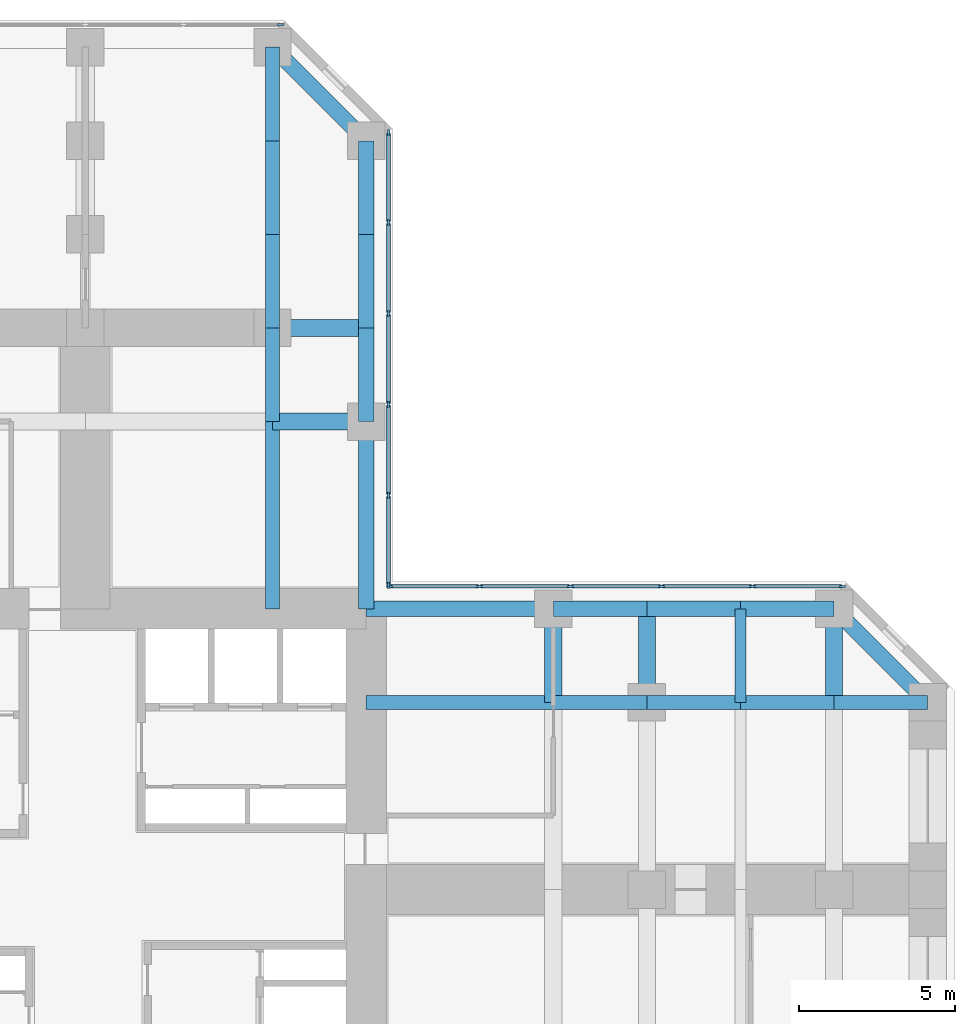
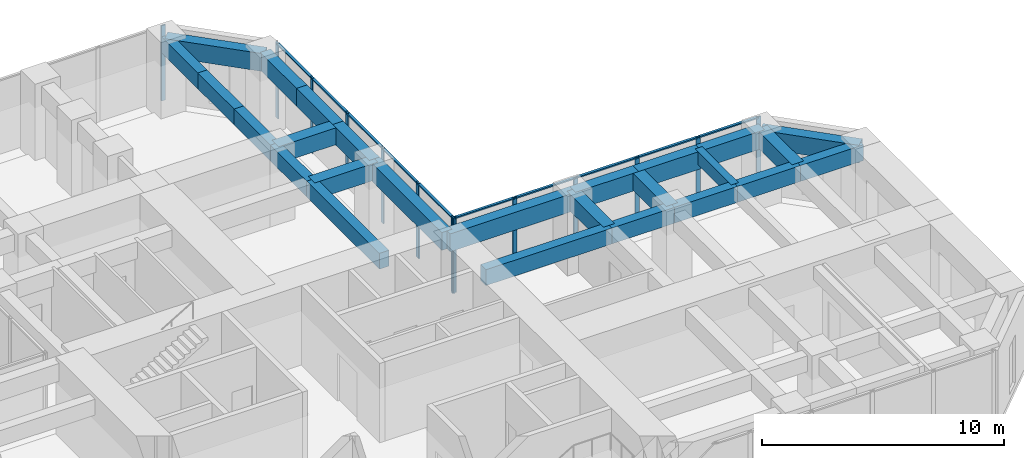
# One storey, part 6 of 12: 26 beams, 23 members, 3 elements without a shape of their own.
"""IFC4 building model written with IfcOpenShell, lengths in metres."""

from ifc_helpers import new_model, si_unit, direction, frame, origin, origin_2d, place, context, subcontext, project, spatial, rectangle, extrude, material, material_profile, profile_set, type_object, element, aggregate, save


model = new_model("IFC4")

# Units and contexts
model_context = context("Model", 3, precision=1e-05, world=origin(), true_north=direction((0.0, 1.0)))
body_context = subcontext(model_context, "Body", "Model", "MODEL_VIEW")
ifc_project = project(units=[si_unit("LENGTHUNIT", "METRE"), si_unit("AREAUNIT", "SQUARE_METRE"), si_unit("VOLUMEUNIT", "CUBIC_METRE"), si_unit("PLANEANGLEUNIT", "RADIAN"), si_unit("MASSUNIT", "GRAM", prefix="KILO")], contexts=[model_context])

# Site, building, storey
site_placement = place(None, origin())
site = spatial("IfcSite", under=ifc_project, at=site_placement, CompositionType="ELEMENT")
building_placement = place(site_placement, origin())
building = spatial("IfcBuilding", under=site, at=building_placement, Name="Torre Cruceta", CompositionType="ELEMENT")
storey_placement = place(building_placement, frame((0.0, 0.0, 35.5)))
storey = spatial("IfcBuildingStorey", under=building, at=storey_placement, Name="L08", CompositionType="ELEMENT", Elevation=35.5)

# Beams
ifc_material_1 = material(Name="Concrete G60 (fck 60 MPa)", Category="concrete")
ifc_material_profile_1 = material_profile(ifc_material_1, rectangle(XDim=0.449951171875, YDim=0.800048828125, at=origin_2d()), Name="RC 450X800")
ifc_profile_set_1 = profile_set([ifc_material_profile_1], Name="Concrete G60 (fck 60 MPa)")
beam_type_1 = type_object("IfcBeamType", Name="COLUMN LINE BEAM RC 450X800", PredefinedType="BEAM", material=ifc_profile_set_1)
beam_1_placement = place(storey_placement, frame((6.0, 9.0, 3.39990234375), z_axis=(0.0, 1.0, 0.0), x_axis=(-1.0, 0.0, 0.0)))
element("IfcBeam", 1, at=beam_1_placement, inside=storey, type_object=beam_type_1, Name="LB1 L08 N col- 1", PredefinedType="BEAM", context=body_context, shape_type="SweptSolid", body=[
    extrude(rectangle(XDim=0.449951171875, YDim=0.800048828125, at=origin_2d()), origin(), (0.0, 0.0, 1.0), 6.0),
])
for number, where, z_axis, x_axis, name in (
    (2, (6.0, 15.0, 3.39990234375), (0.0, 1.0, 0.0), (-1.0, 0.0, 0.0), "LB1 L08 N col- 2"),
    (3, (6.0, 18.0, 3.39990234375), (0.0, 1.0, 0.0), (-1.0, 0.0, 0.0), "LB1 L08 N col- 3"),
    (4, (6.0, 21.0, 3.39990234375), (0.0, 1.0, 0.0), (-1.0, 0.0, 0.0), "LB1 L08 N col- 4"),
    (5, (6.0, 24.0, 3.39990234375), (0.0, 1.0, 0.0), (-1.0, 0.0, 0.0), "LB1 L08 N col- 5"),
):
    element("IfcBeam", number, at=place(storey_placement, frame(where, z_axis=z_axis, x_axis=x_axis)), inside=storey, type_object=beam_type_1, Name=name, PredefinedType="BEAM", context=body_context, shape_type="SweptSolid", body=[
        extrude(rectangle(XDim=0.449951171875, YDim=0.800048828125, at=origin_2d()), origin(), (0.0, 0.0, 1.0), 3.0),
    ])
beam_2_placement = place(storey_placement, frame((9.0, 6.0, 3.39990234375), z_axis=(1.0, 0.0, 0.0), x_axis=(0.0, 1.0, 0.0)))
element("IfcBeam", 6, at=beam_2_placement, inside=storey, type_object=beam_type_1, Name="LB1 L08 E col+ 1", PredefinedType="BEAM", context=body_context, shape_type="SweptSolid", body=[
    extrude(rectangle(XDim=0.449951171875, YDim=0.800048828125, at=origin_2d()), origin(), (0.0, 0.0, 1.0), 6.0),
])
for number, where, z_axis, x_axis, name in (
    (7, (15.0, 6.0, 3.39990234375), (1.0, 0.0, 0.0), (0.0, 1.0, 0.0), "LB1 L08 E col+ 2"),
    (8, (18.0, 6.0, 3.39990234375), (1.0, 0.0, 0.0), (0.0, 1.0, 0.0), "LB1 L08 E col+ 3"),
    (9, (21.0, 6.0, 3.39990234375), (1.0, 0.0, 0.0), (0.0, 1.0, 0.0), "LB1 L08 E col+ 4"),
    (10, (24.0, 6.0, 3.39990234375), (1.0, 0.0, 0.0), (0.0, 1.0, 0.0), "LB1 L08 E col+ 5"),
):
    element("IfcBeam", number, at=place(storey_placement, frame(where, z_axis=z_axis, x_axis=x_axis)), inside=storey, type_object=beam_type_1, Name=name, PredefinedType="BEAM", context=body_context, shape_type="SweptSolid", body=[
        extrude(rectangle(XDim=0.449951171875, YDim=0.800048828125, at=origin_2d()), origin(), (0.0, 0.0, 1.0), 3.0),
    ])
ifc_material_2 = material(Name="Concrete G60 (fck 60 MPa)", Category="concrete")
ifc_material_profile_2 = material_profile(ifc_material_2, rectangle(XDim=0.550048828125, YDim=0.85009765625, at=origin_2d()), Name="RC 550X850")
ifc_profile_set_2 = profile_set([ifc_material_profile_2], Name="Concrete G60 (fck 60 MPa)")
beam_type_2 = type_object("IfcBeamType", Name="CROSS BEAM RC 550X850", PredefinedType="BEAM", material=ifc_profile_set_2)
for number, where, z_axis, x_axis, name in (
    (11, (9.0, 15.0, 3.375), (-1.0, 0.0, 0.0), (0.0, -1.0, 0.0), "GB4 L08 N cross15 1"),
    (12, (9.0, 18.0, 3.375), (-1.0, 0.0, 0.0), (0.0, -1.0, 0.0), "GB4 L08 N cross18 1"),
    (13, (15.0, 6.0, 3.375), (0.0, 1.0, 0.0), (-1.0, 0.0, 0.0), "GB4 L08 E cross15 4"),
    (14, (18.0, 6.0, 3.375), (0.0, 1.0, 0.0), (-1.0, 0.0, 0.0), "GB4 L08 E cross18 4"),
    (15, (24.0, 6.0, 3.375), (0.0, 1.0, 0.0), (-1.0, 0.0, 0.0), "GB4 L08 E cross24 4"),
):
    element("IfcBeam", number, at=place(storey_placement, frame(where, z_axis=z_axis, x_axis=x_axis)), inside=storey, type_object=beam_type_2, Name=name, PredefinedType="BEAM", context=body_context, shape_type="SweptSolid", body=[
        extrude(rectangle(XDim=0.550048828125, YDim=0.85009765625, at=origin_2d()), origin(), (0.0, 0.0, 1.0), 3.0),
    ])

# Curtain wall, members
ifc_material_3 = material(Name="Aluminium unitised curtain wall", Category="aluminium")
curtain_wall_type = type_object("IfcCurtainWallType", Name="CURTAIN WALL CW-A OFFICE LOW RISE", PredefinedType="USERDEFINED", material=ifc_material_3)
curtain_wall_1_placement = place(storey_placement, origin())
curtain_wall_1 = element("IfcCurtainWall", 16, at=curtain_wall_1_placement, inside=storey, type_object=curtain_wall_type, Name="CW-A L08 E side 04", ObjectType="UNITISED", PredefinedType="USERDEFINED")
ifc_material_4 = material(Name="Aluminium mullion", Category="aluminium")
ifc_material_profile_3 = material_profile(ifc_material_4, rectangle(XDim=0.06494140625, YDim=0.199951171875, at=origin_2d()), Name="AL 65X200")
ifc_profile_set_3 = profile_set([ifc_material_profile_3], Name="Aluminium mullion")
member_type_1 = type_object("IfcMemberType", Name="CW-A MULLION 65X200", PredefinedType="MULLION", material=ifc_profile_set_3)
member_1_placement = place(storey_placement, frame((24.265625, 9.719970703125, 0.0), z_axis=(0.0, 0.0, 1.0), x_axis=(0.0, -1.0, 0.0)))
member_1 = element("IfcMember", 17, at=member_1_placement, type_object=member_type_1, Name="CW-A mullion 1", PredefinedType="MULLION", context=body_context, shape_type="SweptSolid", body=[
    extrude(rectangle(XDim=0.06494140625, YDim=0.199951171875, at=origin_2d()), origin(), (0.0, 0.0, 1.0), 3.800048828125),
])
member_2_placement = place(storey_placement, frame((21.382568359375, 9.719970703125, 0.0), z_axis=(0.0, 0.0, 1.0), x_axis=(0.0, -1.0, 0.0)))
member_2 = element("IfcMember", 18, at=member_2_placement, type_object=member_type_1, Name="CW-A mullion 2", PredefinedType="MULLION", context=body_context, shape_type="SweptSolid", body=[
    extrude(rectangle(XDim=0.06494140625, YDim=0.199951171875, at=origin_2d()), origin(), (0.0, 0.0, 1.0), 3.800048828125),
])
member_3_placement = place(storey_placement, frame((18.467041015625, 9.719970703125, 0.0), z_axis=(0.0, 0.0, 1.0), x_axis=(0.0, -1.0, 0.0)))
member_3 = element("IfcMember", 19, at=member_3_placement, type_object=member_type_1, Name="CW-A mullion 3", PredefinedType="MULLION", context=body_context, shape_type="SweptSolid", body=[
    extrude(rectangle(XDim=0.06494140625, YDim=0.199951171875, at=origin_2d()), origin(), (0.0, 0.0, 1.0), 3.800048828125),
])
member_4_placement = place(storey_placement, frame((15.55126953125, 9.719970703125, 0.0), z_axis=(0.0, 0.0, 1.0), x_axis=(0.0, -1.0, 0.0)))
member_4 = element("IfcMember", 20, at=member_4_placement, type_object=member_type_1, Name="CW-A mullion 4", PredefinedType="MULLION", context=body_context, shape_type="SweptSolid", body=[
    extrude(rectangle(XDim=0.06494140625, YDim=0.199951171875, at=origin_2d()), origin(), (0.0, 0.0, 1.0), 3.800048828125),
])
member_5_placement = place(storey_placement, frame((12.6357421875, 9.719970703125, 0.0), z_axis=(0.0, 0.0, 1.0), x_axis=(0.0, -1.0, 0.0)))
member_5 = element("IfcMember", 21, at=member_5_placement, type_object=member_type_1, Name="CW-A mullion 5", PredefinedType="MULLION", context=body_context, shape_type="SweptSolid", body=[
    extrude(rectangle(XDim=0.06494140625, YDim=0.199951171875, at=origin_2d()), origin(), (0.0, 0.0, 1.0), 3.800048828125),
])
member_6_placement = place(storey_placement, frame((9.75244140625, 9.719970703125, 0.0), z_axis=(0.0, 0.0, 1.0), x_axis=(0.0, -1.0, 0.0)))
member_6 = element("IfcMember", 22, at=member_6_placement, type_object=member_type_1, Name="CW-A mullion 6", PredefinedType="MULLION", context=body_context, shape_type="SweptSolid", body=[
    extrude(rectangle(XDim=0.06494140625, YDim=0.199951171875, at=origin_2d()), origin(), (0.0, 0.0, 1.0), 3.800048828125),
])

curtain_wall_2_placement = place(storey_placement, origin())
curtain_wall_2 = element("IfcCurtainWall", 23, at=curtain_wall_2_placement, inside=storey, type_object=curtain_wall_type, Name="CW-A L08 N side 05", ObjectType="UNITISED", PredefinedType="USERDEFINED")
member_7_placement = place(storey_placement, frame((9.719970703125, 9.75244140625, 0.0), z_axis=(0.0, 0.0, 1.0), x_axis=(-1.0, 0.0, 0.0)))
member_7 = element("IfcMember", 24, at=member_7_placement, type_object=member_type_1, Name="CW-A mullion 1", PredefinedType="MULLION", context=body_context, shape_type="SweptSolid", body=[
    extrude(rectangle(XDim=0.06494140625, YDim=0.199951171875, at=origin_2d()), origin(), (0.0, 0.0, 1.0), 3.800048828125),
])
member_8_placement = place(storey_placement, frame((9.719970703125, 12.6357421875, 0.0), z_axis=(0.0, 0.0, 1.0), x_axis=(-1.0, 0.0, 0.0)))
member_8 = element("IfcMember", 25, at=member_8_placement, type_object=member_type_1, Name="CW-A mullion 2", PredefinedType="MULLION", context=body_context, shape_type="SweptSolid", body=[
    extrude(rectangle(XDim=0.06494140625, YDim=0.199951171875, at=origin_2d()), origin(), (0.0, 0.0, 1.0), 3.800048828125),
])
member_9_placement = place(storey_placement, frame((9.719970703125, 15.55126953125, 0.0), z_axis=(0.0, 0.0, 1.0), x_axis=(-1.0, 0.0, 0.0)))
member_9 = element("IfcMember", 26, at=member_9_placement, type_object=member_type_1, Name="CW-A mullion 3", PredefinedType="MULLION", context=body_context, shape_type="SweptSolid", body=[
    extrude(rectangle(XDim=0.06494140625, YDim=0.199951171875, at=origin_2d()), origin(), (0.0, 0.0, 1.0), 3.800048828125),
])
member_10_placement = place(storey_placement, frame((9.719970703125, 18.467041015625, 0.0), z_axis=(0.0, 0.0, 1.0), x_axis=(-1.0, 0.0, 0.0)))
member_10 = element("IfcMember", 27, at=member_10_placement, type_object=member_type_1, Name="CW-A mullion 4", PredefinedType="MULLION", context=body_context, shape_type="SweptSolid", body=[
    extrude(rectangle(XDim=0.06494140625, YDim=0.199951171875, at=origin_2d()), origin(), (0.0, 0.0, 1.0), 3.800048828125),
])
member_11_placement = place(storey_placement, frame((9.719970703125, 21.382568359375, 0.0), z_axis=(0.0, 0.0, 1.0), x_axis=(-1.0, 0.0, 0.0)))
member_11 = element("IfcMember", 28, at=member_11_placement, type_object=member_type_1, Name="CW-A mullion 5", PredefinedType="MULLION", context=body_context, shape_type="SweptSolid", body=[
    extrude(rectangle(XDim=0.06494140625, YDim=0.199951171875, at=origin_2d()), origin(), (0.0, 0.0, 1.0), 3.800048828125),
])
member_12_placement = place(storey_placement, frame((9.719970703125, 24.265625, 0.0), z_axis=(0.0, 0.0, 1.0), x_axis=(-1.0, 0.0, 0.0)))
member_12 = element("IfcMember", 29, at=member_12_placement, type_object=member_type_1, Name="CW-A mullion 6", PredefinedType="MULLION", context=body_context, shape_type="SweptSolid", body=[
    extrude(rectangle(XDim=0.06494140625, YDim=0.199951171875, at=origin_2d()), origin(), (0.0, 0.0, 1.0), 3.800048828125),
])

# Curtain wall, member
curtain_wall_3_placement = place(storey_placement, origin())
curtain_wall_3 = element("IfcCurtainWall", 30, at=curtain_wall_3_placement, inside=storey, type_object=curtain_wall_type, Name="CW-A L08 N tip 07", ObjectType="UNITISED", PredefinedType="USERDEFINED")
member_13_placement = place(storey_placement, frame((6.265625, 27.719970703125, 0.0), z_axis=(0.0, 0.0, 1.0), x_axis=(0.0, -1.0, 0.0)))
member_13 = element("IfcMember", 31, at=member_13_placement, type_object=member_type_1, Name="CW-A mullion 1", PredefinedType="MULLION", context=body_context, shape_type="SweptSolid", body=[
    extrude(rectangle(XDim=0.06494140625, YDim=0.199951171875, at=origin_2d()), origin(), (0.0, 0.0, 1.0), 3.800048828125),
])
aggregate(curtain_wall_3, [member_13])

# Member
ifc_material_5 = material(Name="Aluminium transom", Category="aluminium")
ifc_material_profile_4 = material_profile(ifc_material_5, rectangle(XDim=0.1201171875, YDim=0.06494140625, at=origin_2d()), Name="AL 120X65")
ifc_profile_set_4 = profile_set([ifc_material_profile_4], Name="Aluminium transom")
member_type_2 = type_object("IfcMemberType", Name="CW-A TRANSOM 65X120", PredefinedType="USERDEFINED", material=ifc_profile_set_4)
member_14_placement = place(storey_placement, frame((24.233154296875, 9.719970703125, 3.767578125), z_axis=(-1.0, 0.0, 0.0), x_axis=(0.0, -1.0, 0.0)))
member_14 = element("IfcMember", 32, at=member_14_placement, type_object=member_type_2, Name="CW-A transom 1", ObjectType="TRANSOM", PredefinedType="USERDEFINED", context=body_context, shape_type="SweptSolid", body=[
    extrude(rectangle(XDim=0.1201171875, YDim=0.06494140625, at=origin_2d()), origin(), (0.0, 0.0, 1.0), 2.818115234375),
])

member_15_placement = place(storey_placement, frame((21.35009765625, 9.719970703125, 3.767578125), z_axis=(-1.0, 0.0, 0.0), x_axis=(0.0, -1.0, 0.0)))
member_15 = element("IfcMember", 33, at=member_15_placement, type_object=member_type_2, Name="CW-A transom 2", ObjectType="TRANSOM", PredefinedType="USERDEFINED", context=body_context, shape_type="SweptSolid", body=[
    extrude(rectangle(XDim=0.1201171875, YDim=0.06494140625, at=origin_2d()), origin(), (0.0, 0.0, 1.0), 2.8505859375),
])

member_16_placement = place(storey_placement, frame((18.434326171875, 9.719970703125, 3.767578125), z_axis=(-1.0, 0.0, 0.0), x_axis=(0.0, -1.0, 0.0)))
member_16 = element("IfcMember", 34, at=member_16_placement, type_object=member_type_2, Name="CW-A transom 3", ObjectType="TRANSOM", PredefinedType="USERDEFINED", context=body_context, shape_type="SweptSolid", body=[
    extrude(rectangle(XDim=0.1201171875, YDim=0.06494140625, at=origin_2d()), origin(), (0.0, 0.0, 1.0), 2.8505859375),
])

member_17_placement = place(storey_placement, frame((15.518798828125, 9.719970703125, 3.767578125), z_axis=(-1.0, 0.0, 0.0), x_axis=(0.0, -1.0, 0.0)))
member_17 = element("IfcMember", 35, at=member_17_placement, type_object=member_type_2, Name="CW-A transom 4", ObjectType="TRANSOM", PredefinedType="USERDEFINED", context=body_context, shape_type="SweptSolid", body=[
    extrude(rectangle(XDim=0.1201171875, YDim=0.06494140625, at=origin_2d()), origin(), (0.0, 0.0, 1.0), 2.8505859375),
])

member_18_placement = place(storey_placement, frame((12.60302734375, 9.719970703125, 3.767578125), z_axis=(-1.0, 0.0, 0.0), x_axis=(0.0, -1.0, 0.0)))
member_18 = element("IfcMember", 36, at=member_18_placement, type_object=member_type_2, Name="CW-A transom 5", ObjectType="TRANSOM", PredefinedType="USERDEFINED", context=body_context, shape_type="SweptSolid", body=[
    extrude(rectangle(XDim=0.1201171875, YDim=0.06494140625, at=origin_2d()), origin(), (0.0, 0.0, 1.0), 2.818115234375),
])

aggregate(curtain_wall_1, [member_1, member_2, member_3, member_4, member_5, member_6, member_14, member_15, member_16, member_17, member_18])

member_19_placement = place(storey_placement, frame((9.719970703125, 9.784912109375, 3.767578125), z_axis=(0.0, 1.0, 0.0), x_axis=(-1.0, 0.0, 0.0)))
member_19 = element("IfcMember", 37, at=member_19_placement, type_object=member_type_2, Name="CW-A transom 1", ObjectType="TRANSOM", PredefinedType="USERDEFINED", context=body_context, shape_type="SweptSolid", body=[
    extrude(rectangle(XDim=0.1201171875, YDim=0.06494140625, at=origin_2d()), origin(), (0.0, 0.0, 1.0), 2.818115234375),
])

member_20_placement = place(storey_placement, frame((9.719970703125, 12.668212890625, 3.767578125), z_axis=(0.0, 1.0, 0.0), x_axis=(-1.0, 0.0, 0.0)))
member_20 = element("IfcMember", 38, at=member_20_placement, type_object=member_type_2, Name="CW-A transom 2", ObjectType="TRANSOM", PredefinedType="USERDEFINED", context=body_context, shape_type="SweptSolid", body=[
    extrude(rectangle(XDim=0.1201171875, YDim=0.06494140625, at=origin_2d()), origin(), (0.0, 0.0, 1.0), 2.8505859375),
])

member_21_placement = place(storey_placement, frame((9.719970703125, 15.583740234375, 3.767578125), z_axis=(0.0, 1.0, 0.0), x_axis=(-1.0, 0.0, 0.0)))
member_21 = element("IfcMember", 39, at=member_21_placement, type_object=member_type_2, Name="CW-A transom 3", ObjectType="TRANSOM", PredefinedType="USERDEFINED", context=body_context, shape_type="SweptSolid", body=[
    extrude(rectangle(XDim=0.1201171875, YDim=0.06494140625, at=origin_2d()), origin(), (0.0, 0.0, 1.0), 2.8505859375),
])

member_22_placement = place(storey_placement, frame((9.719970703125, 18.49951171875, 3.767578125), z_axis=(0.0, 1.0, 0.0), x_axis=(-1.0, 0.0, 0.0)))
member_22 = element("IfcMember", 40, at=member_22_placement, type_object=member_type_2, Name="CW-A transom 4", ObjectType="TRANSOM", PredefinedType="USERDEFINED", context=body_context, shape_type="SweptSolid", body=[
    extrude(rectangle(XDim=0.1201171875, YDim=0.06494140625, at=origin_2d()), origin(), (0.0, 0.0, 1.0), 2.8505859375),
])

member_23_placement = place(storey_placement, frame((9.719970703125, 21.4150390625, 3.767578125), z_axis=(0.0, 1.0, 0.0), x_axis=(-1.0, 0.0, 0.0)))
member_23 = element("IfcMember", 41, at=member_23_placement, type_object=member_type_2, Name="CW-A transom 5", ObjectType="TRANSOM", PredefinedType="USERDEFINED", context=body_context, shape_type="SweptSolid", body=[
    extrude(rectangle(XDim=0.1201171875, YDim=0.06494140625, at=origin_2d()), origin(), (0.0, 0.0, 1.0), 2.818115234375),
])

aggregate(curtain_wall_2, [member_7, member_8, member_9, member_10, member_11, member_12, member_19, member_20, member_21, member_22, member_23])

# Beams
ifc_material_6 = material(Name="Concrete G60 (fck 60 MPa)", Category="concrete")
ifc_material_profile_5 = material_profile(ifc_material_6, rectangle(XDim=0.35009765625, YDim=0.64990234375, at=origin_2d()), Name="RC 350X650")
ifc_profile_set_5 = profile_set([ifc_material_profile_5], Name="Concrete G60 (fck 60 MPa)")
beam_type_3 = type_object("IfcBeamType", Name="SECONDARY BEAM RC 350X650", PredefinedType="JOIST", material=ifc_profile_set_5)
beam_3_placement = place(storey_placement, frame((21.0, 6.0, 3.47509765625), z_axis=(0.0, 1.0, 0.0), x_axis=(-1.0, 0.0, 0.0)))
element("IfcBeam", 42, at=beam_3_placement, inside=storey, type_object=beam_type_3, Name="JB3 L08 E sec21 4", PredefinedType="JOIST", context=body_context, shape_type="SweptSolid", body=[
    extrude(rectangle(XDim=0.35009765625, YDim=0.64990234375, at=origin_2d()), origin(), (0.0, 0.0, 1.0), 3.0),
])
ifc_material_7 = material(Name="Concrete G60 (fck 60 MPa)", Category="concrete")
ifc_material_profile_6 = material_profile(ifc_material_7, rectangle(XDim=0.5, YDim=0.89990234375, at=origin_2d()), Name="RC 500X900")
ifc_profile_set_6 = profile_set([ifc_material_profile_6], Name="Concrete G60 (fck 60 MPa)")
beam_type_4 = type_object("IfcBeamType", Name="SPANDREL BEAM RC 500X900", PredefinedType="SPANDREL", material=ifc_profile_set_6)
beam_4_placement = place(storey_placement, frame((9.0, 9.0, 3.35009765625), z_axis=(0.0, 1.0, 0.0), x_axis=(-1.0, 0.0, 0.0)))
element("IfcBeam", 43, at=beam_4_placement, inside=storey, type_object=beam_type_4, Name="SB4 L08 N side- 1", PredefinedType="SPANDREL", context=body_context, shape_type="SweptSolid", body=[
    extrude(rectangle(XDim=0.5, YDim=0.89990234375, at=origin_2d()), origin(), (0.0, 0.0, 1.0), 6.0),
])
for number, where, z_axis, x_axis, name in (
    (44, (9.0, 15.0, 3.35009765625), (0.0, 1.0, 0.0), (-1.0, 0.0, 0.0), "SB4 L08 N side- 2"),
    (45, (9.0, 18.0, 3.35009765625), (0.0, 1.0, 0.0), (-1.0, 0.0, 0.0), "SB4 L08 N side- 3"),
    (46, (9.0, 21.0, 3.35009765625), (0.0, 1.0, 0.0), (-1.0, 0.0, 0.0), "SB4 L08 N side- 4"),
):
    element("IfcBeam", number, at=place(storey_placement, frame(where, z_axis=z_axis, x_axis=x_axis)), inside=storey, type_object=beam_type_4, Name=name, PredefinedType="SPANDREL", context=body_context, shape_type="SweptSolid", body=[
        extrude(rectangle(XDim=0.5, YDim=0.89990234375, at=origin_2d()), origin(), (0.0, 0.0, 1.0), 3.0),
    ])
beam_5_placement = place(storey_placement, frame((9.0, 24.0, 3.35009765625), z_axis=(-0.707106781187, 0.707106781187, 0.0), x_axis=(-0.707106781187, -0.707106781187, 0.0)))
element("IfcBeam", 47, at=beam_5_placement, inside=storey, type_object=beam_type_4, Name="SB4 L08 N side- 5", PredefinedType="SPANDREL", context=body_context, shape_type="SweptSolid", body=[
    extrude(rectangle(XDim=0.5, YDim=0.89990234375, at=origin_2d()), origin(), (0.0, 0.0, 1.0), 4.24267578125),
])
beam_6_placement = place(storey_placement, frame((9.0, 9.0, 3.35009765625), z_axis=(1.0, 0.0, 0.0), x_axis=(0.0, 1.0, 0.0)))
element("IfcBeam", 48, at=beam_6_placement, inside=storey, type_object=beam_type_4, Name="SB4 L08 E side+ 1", PredefinedType="SPANDREL", context=body_context, shape_type="SweptSolid", body=[
    extrude(rectangle(XDim=0.5, YDim=0.89990234375, at=origin_2d()), origin(), (0.0, 0.0, 1.0), 6.0),
])
for number, where, z_axis, x_axis, name in (
    (49, (15.0, 9.0, 3.35009765625), (1.0, 0.0, 0.0), (0.0, 1.0, 0.0), "SB4 L08 E side+ 2"),
    (50, (18.0, 9.0, 3.35009765625), (1.0, 0.0, 0.0), (0.0, 1.0, 0.0), "SB4 L08 E side+ 3"),
    (51, (21.0, 9.0, 3.35009765625), (1.0, 0.0, 0.0), (0.0, 1.0, 0.0), "SB4 L08 E side+ 4"),
):
    element("IfcBeam", number, at=place(storey_placement, frame(where, z_axis=z_axis, x_axis=x_axis)), inside=storey, type_object=beam_type_4, Name=name, PredefinedType="SPANDREL", context=body_context, shape_type="SweptSolid", body=[
        extrude(rectangle(XDim=0.5, YDim=0.89990234375, at=origin_2d()), origin(), (0.0, 0.0, 1.0), 3.0),
    ])
beam_7_placement = place(storey_placement, frame((24.0, 9.0, 3.35009765625), z_axis=(0.707106781187, -0.707106781187, 0.0), x_axis=(0.707106781187, 0.707106781187, 0.0)))
element("IfcBeam", 52, at=beam_7_placement, inside=storey, type_object=beam_type_4, Name="SB4 L08 E side+ 5", PredefinedType="SPANDREL", context=body_context, shape_type="SweptSolid", body=[
    extrude(rectangle(XDim=0.5, YDim=0.89990234375, at=origin_2d()), origin(), (0.0, 0.0, 1.0), 4.24267578125),
])

save(model, "model.ifc")
